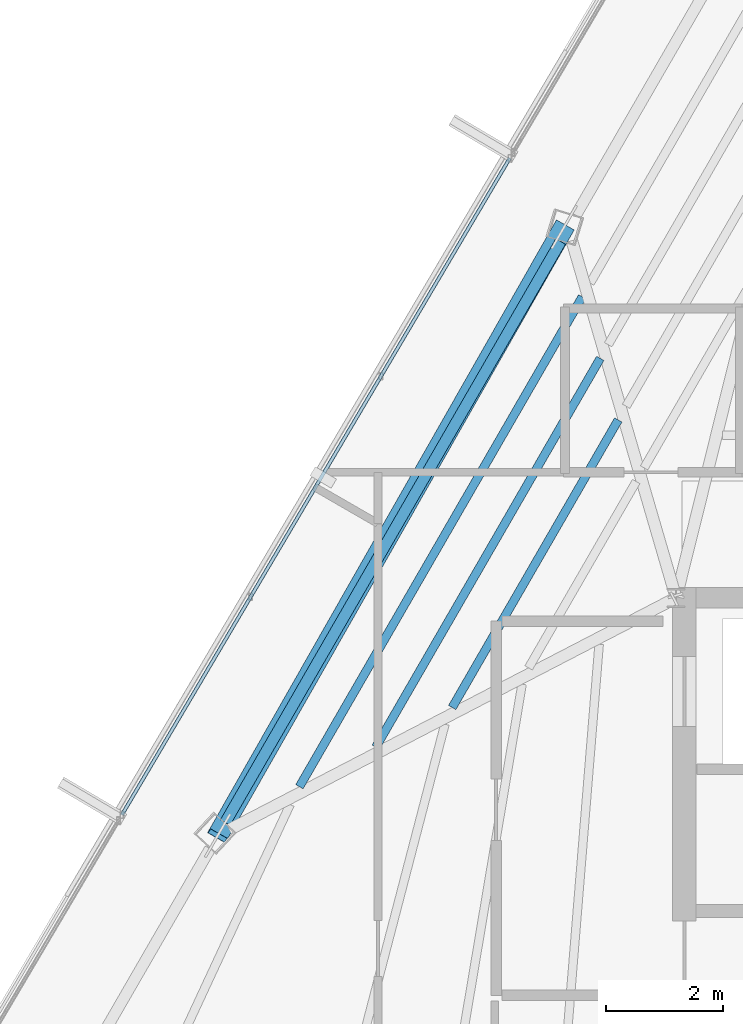
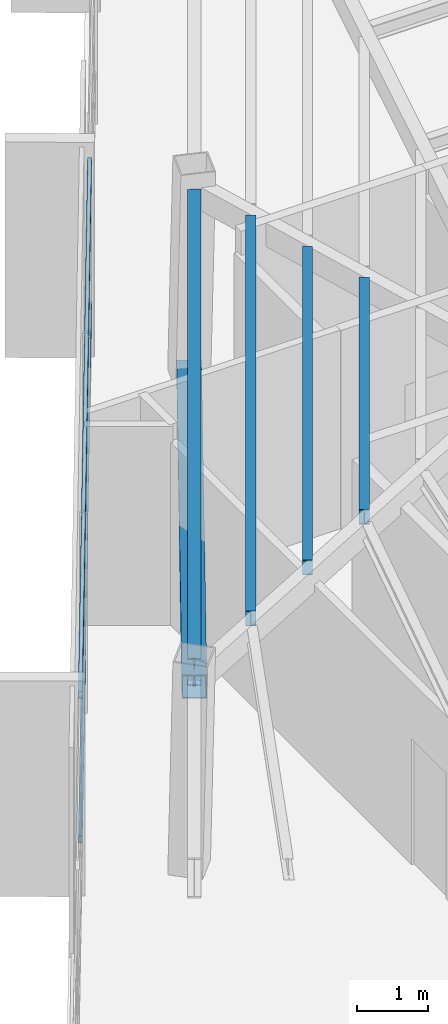
# One storey, part 18 of 45: 4 beams, 3 members, 1 element without a shape of its own.
"""IFC4 building model written with IfcOpenShell, lengths in metres."""

from ifc_helpers import new_model, si_unit, direction, frame, origin, origin_2d, place, context, subcontext, project, spatial, hollow_rectangle, i_section, extrude, source, transform, mapped, material, material_profile, profile_set, type_object, type_shapes, element, aggregate, save


model = new_model("IFC4")

# Units and contexts
model_context = context("Model", 3, precision=1e-05, world=origin(), true_north=direction((0.0, 1.0)))
body_context = subcontext(model_context, "Body", "Model", "MODEL_VIEW")
ifc_project = project(units=[si_unit("LENGTHUNIT", "METRE"), si_unit("AREAUNIT", "SQUARE_METRE"), si_unit("VOLUMEUNIT", "CUBIC_METRE"), si_unit("PLANEANGLEUNIT", "RADIAN"), si_unit("MASSUNIT", "GRAM", prefix="KILO")], contexts=[model_context])

# Site, building, storey
site_placement = place(None, origin())
site = spatial("IfcSite", under=ifc_project, at=site_placement, CompositionType="ELEMENT")
building_placement = place(site_placement, origin())
building = spatial("IfcBuilding", under=site, at=building_placement, Name="Caelisora Broadcast Tower", CompositionType="ELEMENT")
storey_placement = place(building_placement, frame((0.0, 0.0, 273.64990234375)))
storey = spatial("IfcBuildingStorey", under=building, at=storey_placement, Name="L72", CompositionType="ELEMENT", Elevation=273.64990234375)

# Beams
ifc_material_1 = material(Name="Steel Grade 350 (AS/NZS 3679.1)", Category="steel")
ifc_material_profile_1 = material_profile(ifc_material_1, i_section(OverallWidth=0.19091796875, OverallDepth=0.46044921875, WebThickness=0.010009765625, FlangeThickness=0.01611328125, at=origin_2d()), Name="Steel Grade 350 (AS/NZS 3679.1)")
ifc_profile_set_1 = profile_set([ifc_material_profile_1], Name="Steel Grade 350 (AS/NZS 3679.1)")
beam_type_1 = type_object("IfcBeamType", Name="PG06", PredefinedType="BEAM", material=ifc_profile_set_1)
shared_shape_1 = source(origin(), body_context, "Body", "SweptSolid", [
    extrude(i_section(OverallWidth=0.19091796875, OverallDepth=0.46044921875, WebThickness=0.010009765625, FlangeThickness=0.01611328125, at=origin_2d()), origin(), (0.0, 0.0, 1.0), 11.476806640625),
])
type_shapes(beam_type_1, [shared_shape_1])
beam_1_placement = place(storey_placement, frame((28.52490234375, 36.0966796875, 3.169921875), z_axis=(-0.500007868499, -0.866020860857, 0.0), x_axis=(0.866020860857, -0.500007868499, 0.0)))
element("IfcBeam", 1, at=beam_1_placement, inside=storey, type_object=beam_type_1, Name="L72 beam PG06", PredefinedType="BEAM", context=body_context, shape_type="MappedRepresentation", body=[
    mapped(shared_shape_1, transform((0.0, 0.0, 0.0), scale=1.0)),
])
ifc_material_profile_2 = material_profile(ifc_material_1, i_section(OverallWidth=0.14599609375, OverallDepth=0.256103515625, WebThickness=0.00634765625, FlangeThickness=0.010986328125, at=origin_2d()), Name="Steel Grade 350 (AS/NZS 3679.1)")
ifc_profile_set_2 = profile_set([ifc_material_profile_2], Name="Steel Grade 350 (AS/NZS 3679.1)")
beam_type_2 = type_object("IfcBeamType", Name="SB04", PredefinedType="JOIST", material=ifc_profile_set_2)
shared_shape_2 = source(origin(), body_context, "Body", "SweptSolid", [
    extrude(i_section(OverallWidth=0.14599609375, OverallDepth=0.256103515625, WebThickness=0.00634765625, FlangeThickness=0.010986328125, at=origin_2d()), origin(), (0.0, 0.0, 1.0), 5.680419921875),
])
beam_2_placement = place(storey_placement, frame((29.509765625, 33.043701171875, 3.27197265625), z_axis=(-0.500012638089, -0.866018107057, 0.0), x_axis=(0.866018107057, -0.500012638089, 0.0)))
element("IfcBeam", 2, at=beam_2_placement, inside=storey, type_object=beam_type_2, Name="L72 beam SB04", PredefinedType="JOIST", context=body_context, shape_type="MappedRepresentation", body=[
    mapped(shared_shape_2, transform((0.0, 0.0, 0.0), scale=1.0)),
])
shared_shape_3 = source(origin(), body_context, "Body", "SweptSolid", [
    extrude(i_section(OverallWidth=0.14599609375, OverallDepth=0.256103515625, WebThickness=0.00634765625, FlangeThickness=0.010986328125, at=origin_2d()), origin(), (0.0, 0.0, 1.0), 7.679931640625),
])
beam_3_placement = place(storey_placement, frame((29.2021484375, 34.097412109375, 3.27197265625), z_axis=(-0.499982037744, -0.86603577405, 0.0), x_axis=(0.86603577405, -0.499982037744, 0.0)))
element("IfcBeam", 3, at=beam_3_placement, inside=storey, type_object=beam_type_2, Name="L72 beam SB04", PredefinedType="JOIST", context=body_context, shape_type="MappedRepresentation", body=[
    mapped(shared_shape_3, transform((0.0, 0.0, 0.0), scale=1.0)),
])
shared_shape_4 = source(origin(), body_context, "Body", "SweptSolid", [
    extrude(i_section(OverallWidth=0.14599609375, OverallDepth=0.256103515625, WebThickness=0.00634765625, FlangeThickness=0.010986328125, at=origin_2d()), origin(), (0.0, 0.0, 1.0), 9.67919921875),
])
type_shapes(beam_type_2, [shared_shape_2, shared_shape_3, shared_shape_4])
beam_4_placement = place(storey_placement, frame((28.89453125, 35.15087890625, 3.27197265625), z_axis=(-0.499993918251, -0.866028915055, 0.0), x_axis=(0.866028915055, -0.499993918251, 0.0)))
element("IfcBeam", 4, at=beam_4_placement, inside=storey, type_object=beam_type_2, Name="L72 beam SB04", PredefinedType="JOIST", context=body_context, shape_type="MappedRepresentation", body=[
    mapped(shared_shape_4, transform((0.0, 0.0, 0.0), scale=1.0)),
])

# Member
ifc_material_2 = material(Name="Steel Grade 450 (AS/NZS 1163 C450L0)", Category="steel")
ifc_material_profile_3 = material_profile(ifc_material_2, hollow_rectangle(XDim=0.35009765625, YDim=0.35009765625, WallThickness=0.012451171875, at=origin_2d()), Name="Steel Grade 450 (AS/NZS 1163 C450L0)")
ifc_profile_set_3 = profile_set([ifc_material_profile_3], Name="Steel Grade 450 (AS/NZS 1163 C450L0)")
member_type_1 = type_object("IfcMemberType", Name="BR05", PredefinedType="BRACE", material=ifc_profile_set_3)
shared_shape_5 = source(origin(), body_context, "Body", "SweptSolid", [
    extrude(hollow_rectangle(XDim=0.35009765625, YDim=0.35009765625, WallThickness=0.012451171875, at=origin_2d()), origin(), (0.0, 0.0, 1.0), 12.3505859375),
])
type_shapes(member_type_1, [shared_shape_5])
member_1_placement = place(storey_placement, frame((28.583984375, 36.34375, 0.10009765625), z_axis=(-0.479935919715, -0.843006187741, 0.242903438422), x_axis=(0.869033325026, -0.494753554807, 0.0)))
element("IfcMember", 5, at=member_1_placement, inside=storey, type_object=member_type_1, Name="L72 perimeter brace BR05", PredefinedType="BRACE", context=body_context, shape_type="MappedRepresentation", body=[
    mapped(shared_shape_5, transform((0.0, 0.0, 0.0), scale=1.0)),
])

# Curtain wall, members
ifc_material_3 = material(Name="Unitised Aluminium Insulated Shadow-Box Spandrel Curtain Wall", Category="aluminium")
curtain_wall_type = type_object("IfcCurtainWallType", Name="CW-SP3", PredefinedType="NOTDEFINED", material=ifc_material_3)
curtain_wall_placement = place(storey_placement, origin())
curtain_wall = element("IfcCurtainWall", 6, at=curtain_wall_placement, inside=storey, type_object=curtain_wall_type, Name="L72 curtain wall CW-SP3", PredefinedType="NOTDEFINED")
ifc_material_4 = material(Name="Aluminium 6063-T6 Anodised Terracotta Bronze", Category="aluminium")
ifc_material_profile_4 = material_profile(ifc_material_4, hollow_rectangle(XDim=0.06005859375, YDim=0.1201171875, WallThickness=0.0029296875, at=origin_2d()), Name="Aluminium 6063-T6 Anodised Terracotta Bronze")
ifc_profile_set_4 = profile_set([ifc_material_profile_4], Name="Aluminium 6063-T6 Anodised Terracotta Bronze")
member_type_2 = type_object("IfcMemberType", Name="CWT-03", PredefinedType="USERDEFINED", material=ifc_profile_set_4)
shared_shape_6 = source(origin(), body_context, "Body", "SweptSolid", [
    extrude(hollow_rectangle(XDim=0.06005859375, YDim=0.1201171875, WallThickness=0.0029296875, at=origin_2d()), origin(), (0.0, 0.0, 1.0), 13.053466796875),
])
type_shapes(member_type_2, [shared_shape_6])
member_2_placement = place(storey_placement, frame((21.01708984375, 26.285888671875, 0.85009765625), z_axis=(0.508597610055, 0.861004338576, 0.0), x_axis=(-0.861004338576, 0.508597610055, 0.0)))
member_2 = element("IfcMember", 7, at=member_2_placement, type_object=member_type_2, Name="L72-CW-B10 transom #1", ObjectType="TRANSOM", PredefinedType="USERDEFINED", context=body_context, shape_type="MappedRepresentation", body=[
    mapped(shared_shape_6, transform((0.0, 0.0, 0.0), scale=1.0)),
])
member_3_placement = place(storey_placement, frame((21.01708984375, 26.285888671875, 3.320068359375), z_axis=(0.508597610055, 0.861004338576, 0.0), x_axis=(-0.861004338576, 0.508597610055, 0.0)))
member_3 = element("IfcMember", 8, at=member_3_placement, type_object=member_type_2, Name="L72-CW-B10 transom #2", ObjectType="TRANSOM", PredefinedType="USERDEFINED", context=body_context, shape_type="MappedRepresentation", body=[
    mapped(shared_shape_6, transform((0.0, 0.0, 0.0), scale=1.0)),
])
aggregate(curtain_wall, [member_2, member_3])

save(model, "model.ifc")
